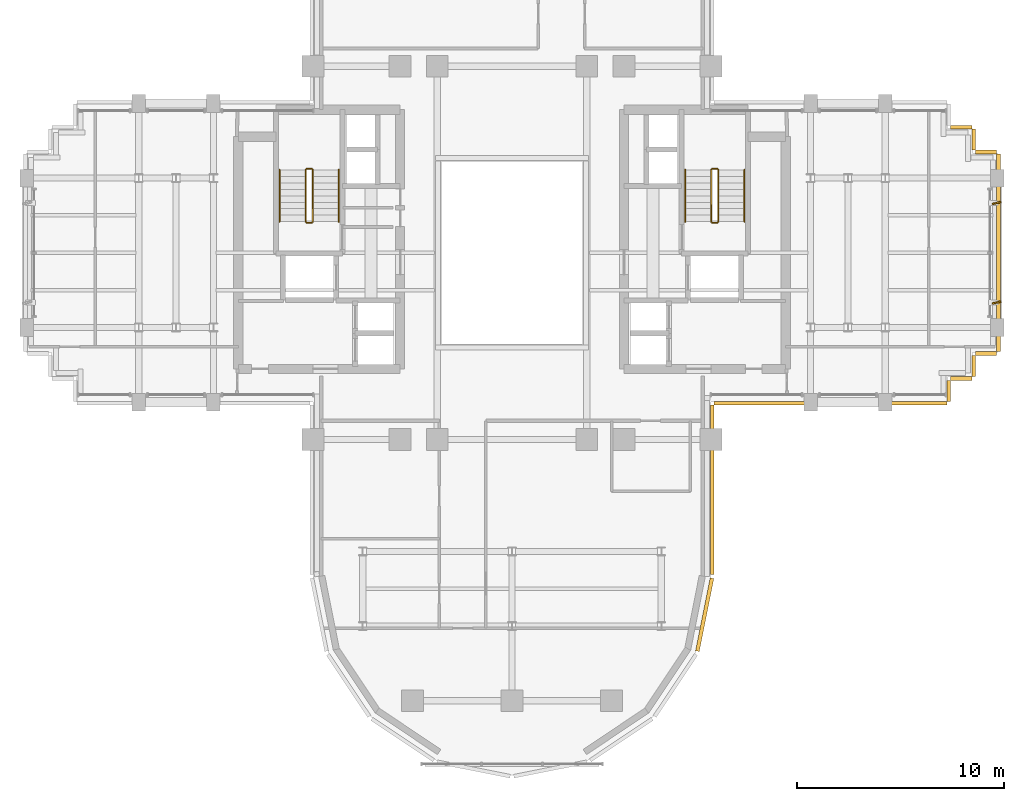
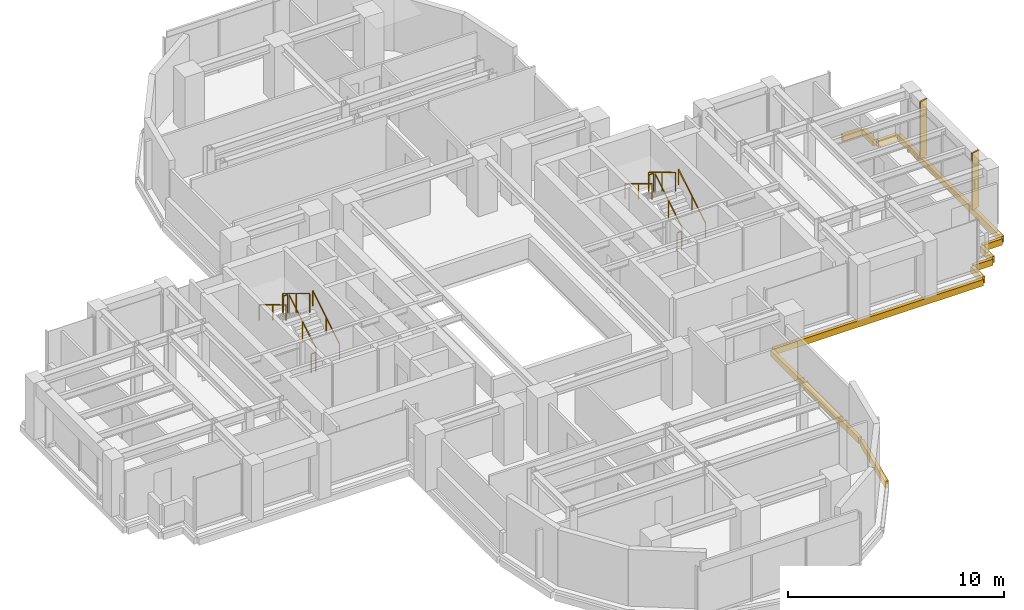
# One storey, part 13 of 14: 12 railings, 11 coverings, 2 shading devices.
"""IFC4 building model written with IfcOpenShell, lengths in metres."""

from ifc_helpers import new_model, si_unit, direction, frame, origin, origin_2d, place, context, subcontext, project, spatial, rectangle, extrude, source, transform, mapped, material, layer, layer_set, type_object, element, save


model = new_model("IFC4")

# Units and contexts
model_context = context("Model", 3, precision=1e-05, world=origin(), true_north=direction((0.0, 1.0)))
body_context = subcontext(model_context, "Body", "Model", "MODEL_VIEW")
ifc_project = project(units=[si_unit("LENGTHUNIT", "METRE"), si_unit("AREAUNIT", "SQUARE_METRE"), si_unit("VOLUMEUNIT", "CUBIC_METRE"), si_unit("PLANEANGLEUNIT", "RADIAN"), si_unit("MASSUNIT", "GRAM", prefix="KILO")], contexts=[model_context])

# Site, building, storey
site_placement = place(None, origin())
site = spatial("IfcSite", under=ifc_project, at=site_placement, CompositionType="ELEMENT")
building_placement = place(site_placement, origin())
building = spatial("IfcBuilding", under=site, at=building_placement, Name="Keilestroom Media Tower", CompositionType="ELEMENT")
storey_placement = place(building_placement, frame((0.0, 0.0, 114.199951171875)))
storey = spatial("IfcBuildingStorey", under=building, at=storey_placement, Name="L30", CompositionType="ELEMENT", Elevation=114.199951171875)

# Railings
ifc_material_1 = material(Name="Brushed Stainless Steel 1.4301", Category="steel")
railing_type_1 = type_object("IfcRailingType", Name="Stair-Pitch-Handrail-920", PredefinedType="HANDRAIL", material=ifc_material_1)
railing_1_placement = place(storey_placement, frame((-8.35009765625, 1.5, 0.18896484375)))
element("IfcRailing", 1, at=railing_1_placement, inside=storey, type_object=railing_type_1, Name="L30 ST-1 stair handrail 1", PredefinedType="HANDRAIL", context=body_context, shape_type="SweptSolid", body=[
    extrude(rectangle(XDim=0.048095703125, YDim=0.048095703125, at=origin_2d()), frame((0.0, 0.0, 0.8759765625), z_axis=(0.0, 0.855470815493, 0.517851024754), x_axis=(-1.0, 0.0, 0.0)), (0.0, 0.0, 1.0), 2.917724609375),
    extrude(rectangle(XDim=0.0419921875, YDim=0.0419921875, at=origin_2d()), origin(), (0.0, 0.0, 1.0), 0.84375),
    extrude(rectangle(XDim=0.0419921875, YDim=0.0419921875, at=origin_2d()), frame((0.0, 1.248046875, 0.75537109375)), (0.0, 0.0, 1.0), 0.84375),
    extrude(rectangle(XDim=0.0419921875, YDim=0.0419921875, at=origin_2d()), frame((0.0, 2.49609375, 1.510986328125)), (0.0, 0.0, 1.0), 0.84375),
])
railing_2_placement = place(storey_placement, frame((-11.2099609375, 3.99609375, 1.888916015625)))
element("IfcRailing", 2, at=railing_2_placement, inside=storey, type_object=railing_type_1, Name="L30 ST-1 stair handrail 2", PredefinedType="HANDRAIL", context=body_context, shape_type="SweptSolid", body=[
    extrude(rectangle(XDim=0.048095703125, YDim=0.048095703125, at=origin_2d()), frame((0.0, 0.0, 0.8759765625), z_axis=(0.0, -0.855433747314, 0.517912255074), x_axis=(1.0, 0.0, 0.0)), (0.0, 0.0, 1.0), 2.91796875),
    extrude(rectangle(XDim=0.0419921875, YDim=0.0419921875, at=origin_2d()), origin(), (0.0, 0.0, 1.0), 0.84375),
    extrude(rectangle(XDim=0.0419921875, YDim=0.0419921875, at=origin_2d()), frame((0.0, -1.248046875, 0.755615234375)), (0.0, 0.0, 1.0), 0.84375),
    extrude(rectangle(XDim=0.0419921875, YDim=0.0419921875, at=origin_2d()), frame((0.0, -2.49609375, 1.51123046875)), (0.0, 0.0, 1.0), 0.84375),
])
railing_3_placement = place(storey_placement, frame((11.2099609375, 1.5, 0.18896484375)))
element("IfcRailing", 3, at=railing_3_placement, inside=storey, type_object=railing_type_1, Name="L30 ST-2 stair handrail 1", PredefinedType="HANDRAIL", context=body_context, shape_type="SweptSolid", body=[
    extrude(rectangle(XDim=0.048095703125, YDim=0.048095703125, at=origin_2d()), frame((0.0, 0.0, 0.8759765625), z_axis=(0.0, 0.855470815493, 0.517851024754), x_axis=(-1.0, 0.0, 0.0)), (0.0, 0.0, 1.0), 2.917724609375),
    extrude(rectangle(XDim=0.0419921875, YDim=0.0419921875, at=origin_2d()), origin(), (0.0, 0.0, 1.0), 0.84375),
    extrude(rectangle(XDim=0.0419921875, YDim=0.0419921875, at=origin_2d()), frame((0.0, 1.248046875, 0.75537109375)), (0.0, 0.0, 1.0), 0.84375),
    extrude(rectangle(XDim=0.0419921875, YDim=0.0419921875, at=origin_2d()), frame((0.0, 2.49609375, 1.510986328125)), (0.0, 0.0, 1.0), 0.84375),
])
railing_4_placement = place(storey_placement, frame((8.35009765625, 3.99609375, 1.888916015625)))
element("IfcRailing", 4, at=railing_4_placement, inside=storey, type_object=railing_type_1, Name="L30 ST-2 stair handrail 2", PredefinedType="HANDRAIL", context=body_context, shape_type="SweptSolid", body=[
    extrude(rectangle(XDim=0.048095703125, YDim=0.048095703125, at=origin_2d()), frame((0.0, 0.0, 0.8759765625), z_axis=(0.0, -0.855433747314, 0.517912255074), x_axis=(1.0, 0.0, 0.0)), (0.0, 0.0, 1.0), 2.91796875),
    extrude(rectangle(XDim=0.0419921875, YDim=0.0419921875, at=origin_2d()), origin(), (0.0, 0.0, 1.0), 0.84375),
    extrude(rectangle(XDim=0.0419921875, YDim=0.0419921875, at=origin_2d()), frame((0.0, -1.248046875, 0.755615234375)), (0.0, 0.0, 1.0), 0.84375),
    extrude(rectangle(XDim=0.0419921875, YDim=0.0419921875, at=origin_2d()), frame((0.0, -2.49609375, 1.51123046875)), (0.0, 0.0, 1.0), 0.84375),
])
ifc_material_2 = material(Name="Painted Steel Balustrade", Category="steel")
railing_type_2 = type_object("IfcRailingType", Name="Stair-Well-And-Landing-Guard-1100", PredefinedType="GUARDRAIL", material=ifc_material_2)
railing_5_placement = place(storey_placement, frame((-9.610107421875, 1.5, 0.18896484375)))
element("IfcRailing", 5, at=railing_5_placement, inside=storey, type_object=railing_type_2, Name="L30 ST-1 stair guard 1", PredefinedType="GUARDRAIL", context=body_context, shape_type="SweptSolid", body=[
    extrude(rectangle(XDim=0.048095703125, YDim=0.048095703125, at=origin_2d()), frame((0.0, 0.0, 1.076171875), z_axis=(0.0, 0.855470815493, 0.517851024754), x_axis=(-1.0, 0.0, 0.0)), (0.0, 0.0, 1.0), 2.917724609375),
    extrude(rectangle(XDim=0.0419921875, YDim=0.0419921875, at=origin_2d()), origin(), (0.0, 0.0, 1.0), 1.0439453125),
    extrude(rectangle(XDim=0.0419921875, YDim=0.0419921875, at=origin_2d()), frame((0.0, 1.248046875, 0.75537109375)), (0.0, 0.0, 1.0), 1.0439453125),
    extrude(rectangle(XDim=0.0419921875, YDim=0.0419921875, at=origin_2d()), frame((0.0, 2.49609375, 1.510986328125)), (0.0, 0.0, 1.0), 1.0439453125),
])
railing_6_placement = place(storey_placement, frame((-9.659912109375, 4.0458984375, 1.699951171875)))
element("IfcRailing", 6, at=railing_6_placement, inside=storey, type_object=railing_type_2, Name="L30 ST-1 stair guard 2", PredefinedType="GUARDRAIL", context=body_context, shape_type="SweptSolid", body=[
    extrude(rectangle(XDim=0.048095703125, YDim=0.048095703125, at=origin_2d()), frame((0.0, 0.0, 1.076171875), z_axis=(-1.0, 0.0, 0.0), x_axis=(0.0, -1.0, 0.0)), (0.0, 0.0, 1.0), 0.239990234375),
    extrude(rectangle(XDim=0.0419921875, YDim=0.0419921875, at=origin_2d()), origin(), (0.0, 0.0, 1.0), 1.0439453125),
    extrude(rectangle(XDim=0.0419921875, YDim=0.0419921875, at=origin_2d()), frame((-0.239990234375, 0.0, 0.0)), (0.0, 0.0, 1.0), 1.0439453125),
])
railing_7_placement = place(storey_placement, frame((-9.949951171875, 3.99609375, 1.888916015625)))
element("IfcRailing", 7, at=railing_7_placement, inside=storey, type_object=railing_type_2, Name="L30 ST-1 stair guard 3", PredefinedType="GUARDRAIL", context=body_context, shape_type="SweptSolid", body=[
    extrude(rectangle(XDim=0.048095703125, YDim=0.048095703125, at=origin_2d()), frame((0.0, 0.0, 1.076171875), z_axis=(0.0, -0.855433747314, 0.517912255074), x_axis=(1.0, 0.0, 0.0)), (0.0, 0.0, 1.0), 2.91796875),
    extrude(rectangle(XDim=0.0419921875, YDim=0.0419921875, at=origin_2d()), origin(), (0.0, 0.0, 1.0), 1.0439453125),
    extrude(rectangle(XDim=0.0419921875, YDim=0.0419921875, at=origin_2d()), frame((0.0, -1.248046875, 0.755615234375)), (0.0, 0.0, 1.0), 1.0439453125),
    extrude(rectangle(XDim=0.0419921875, YDim=0.0419921875, at=origin_2d()), frame((0.0, -2.49609375, 1.51123046875)), (0.0, 0.0, 1.0), 1.0439453125),
])
railing_8_placement = place(storey_placement, frame((-9.659912109375, 1.449951171875, 0.0)))
element("IfcRailing", 8, at=railing_8_placement, inside=storey, type_object=railing_type_2, Name="L30 ST-1 stair guard 4", PredefinedType="GUARDRAIL", context=body_context, shape_type="SweptSolid", body=[
    extrude(rectangle(XDim=0.048095703125, YDim=0.048095703125, at=origin_2d()), frame((0.0, 0.0, 1.076171875), z_axis=(-1.0, 0.0, 0.0), x_axis=(0.0, -1.0, 0.0)), (0.0, 0.0, 1.0), 0.239990234375),
    extrude(rectangle(XDim=0.0419921875, YDim=0.0419921875, at=origin_2d()), origin(), (0.0, 0.0, 1.0), 1.0439453125),
    extrude(rectangle(XDim=0.0419921875, YDim=0.0419921875, at=origin_2d()), frame((-0.239990234375, 0.0, 0.0)), (0.0, 0.0, 1.0), 1.0439453125),
])
railing_9_placement = place(storey_placement, frame((9.949951171875, 1.5, 0.18896484375)))
element("IfcRailing", 9, at=railing_9_placement, inside=storey, type_object=railing_type_2, Name="L30 ST-2 stair guard 1", PredefinedType="GUARDRAIL", context=body_context, shape_type="SweptSolid", body=[
    extrude(rectangle(XDim=0.048095703125, YDim=0.048095703125, at=origin_2d()), frame((0.0, 0.0, 1.076171875), z_axis=(0.0, 0.855470815493, 0.517851024754), x_axis=(-1.0, 0.0, 0.0)), (0.0, 0.0, 1.0), 2.917724609375),
    extrude(rectangle(XDim=0.0419921875, YDim=0.0419921875, at=origin_2d()), origin(), (0.0, 0.0, 1.0), 1.0439453125),
    extrude(rectangle(XDim=0.0419921875, YDim=0.0419921875, at=origin_2d()), frame((0.0, 1.248046875, 0.75537109375)), (0.0, 0.0, 1.0), 1.0439453125),
    extrude(rectangle(XDim=0.0419921875, YDim=0.0419921875, at=origin_2d()), frame((0.0, 2.49609375, 1.510986328125)), (0.0, 0.0, 1.0), 1.0439453125),
])
railing_10_placement = place(storey_placement, frame((9.89990234375, 4.0458984375, 1.699951171875)))
element("IfcRailing", 10, at=railing_10_placement, inside=storey, type_object=railing_type_2, Name="L30 ST-2 stair guard 2", PredefinedType="GUARDRAIL", context=body_context, shape_type="SweptSolid", body=[
    extrude(rectangle(XDim=0.048095703125, YDim=0.048095703125, at=origin_2d()), frame((0.0, 0.0, 1.076171875), z_axis=(-1.0, 0.0, 0.0), x_axis=(0.0, -1.0, 0.0)), (0.0, 0.0, 1.0), 0.239990234375),
    extrude(rectangle(XDim=0.0419921875, YDim=0.0419921875, at=origin_2d()), origin(), (0.0, 0.0, 1.0), 1.0439453125),
    extrude(rectangle(XDim=0.0419921875, YDim=0.0419921875, at=origin_2d()), frame((-0.239990234375, 0.0, 0.0)), (0.0, 0.0, 1.0), 1.0439453125),
])
railing_11_placement = place(storey_placement, frame((9.610107421875, 3.99609375, 1.888916015625)))
element("IfcRailing", 11, at=railing_11_placement, inside=storey, type_object=railing_type_2, Name="L30 ST-2 stair guard 3", PredefinedType="GUARDRAIL", context=body_context, shape_type="SweptSolid", body=[
    extrude(rectangle(XDim=0.048095703125, YDim=0.048095703125, at=origin_2d()), frame((0.0, 0.0, 1.076171875), z_axis=(0.0, -0.855433747314, 0.517912255074), x_axis=(1.0, 0.0, 0.0)), (0.0, 0.0, 1.0), 2.91796875),
    extrude(rectangle(XDim=0.0419921875, YDim=0.0419921875, at=origin_2d()), origin(), (0.0, 0.0, 1.0), 1.0439453125),
    extrude(rectangle(XDim=0.0419921875, YDim=0.0419921875, at=origin_2d()), frame((0.0, -1.248046875, 0.755615234375)), (0.0, 0.0, 1.0), 1.0439453125),
    extrude(rectangle(XDim=0.0419921875, YDim=0.0419921875, at=origin_2d()), frame((0.0, -2.49609375, 1.51123046875)), (0.0, 0.0, 1.0), 1.0439453125),
])
railing_12_placement = place(storey_placement, frame((9.89990234375, 1.449951171875, 0.0)))
element("IfcRailing", 12, at=railing_12_placement, inside=storey, type_object=railing_type_2, Name="L30 ST-2 stair guard 4", PredefinedType="GUARDRAIL", context=body_context, shape_type="SweptSolid", body=[
    extrude(rectangle(XDim=0.048095703125, YDim=0.048095703125, at=origin_2d()), frame((0.0, 0.0, 1.076171875), z_axis=(-1.0, 0.0, 0.0), x_axis=(0.0, -1.0, 0.0)), (0.0, 0.0, 1.0), 0.239990234375),
    extrude(rectangle(XDim=0.0419921875, YDim=0.0419921875, at=origin_2d()), origin(), (0.0, 0.0, 1.0), 1.0439453125),
    extrude(rectangle(XDim=0.0419921875, YDim=0.0419921875, at=origin_2d()), frame((-0.239990234375, 0.0, 0.0)), (0.0, 0.0, 1.0), 1.0439453125),
])

# Shading devices
ifc_material_3 = material(Name="Bronze Anodised Aluminium", Category="aluminium")
shading_device_type = type_object("IfcShadingDeviceType", Name="Facade-Vertical-Sunshade-Fin-SHD-1", PredefinedType="USERDEFINED", material=ifc_material_3)
shared_shape_1 = source(origin(), body_context, "Body", "SweptSolid", [
    extrude(rectangle(XDim=0.419921875, YDim=0.080078125, at=origin_2d()), origin(), (0.0, 0.0, 1.0), 3.199951171875),
])
for number, where, z_axis, x_axis, name in (
    (13, (23.3701171875, -2.39990234375, 0.0), (0.0, 0.0, 1.0), (0.97518800696, 0.221378298577, 0.0), "L30 Twisting Sunshade Fin SHD-1 035"),
    (14, (23.3701171875, 2.39990234375, 0.0), (0.0, 0.0, 1.0), (0.97518800696, 0.221378298577, 0.0), "L30 Twisting Sunshade Fin SHD-1 036"),
):
    element("IfcShadingDevice", number, at=place(storey_placement, frame(where, z_axis=z_axis, x_axis=x_axis)), inside=storey, type_object=shading_device_type, Name=name, ObjectType="SUNSHADE", PredefinedType="USERDEFINED", context=body_context, shape_type="MappedRepresentation", body=[
        mapped(shared_shape_1, transform((0.0, 0.0, 0.0), x_axis=(1.0, 0.0, 0.0), y_axis=(0.0, 1.0, 0.0), z_axis=(0.0, 0.0, 1.0), scale=1.0)),
    ])

# Coverings
ifc_material_4 = material(Name="Precast concrete C40/50", Category="concrete")
ifc_layer = layer(ifc_material_4, 0.1201171875)
ifc_layer_set = layer_set([ifc_layer], Name="Precast concrete C40/50")
covering_type = type_object("IfcCoveringType", Name="Exterior-Precast-Spandrel-Cladding-Panel-120", PredefinedType="CLADDING", material=ifc_layer_set)
shared_shape_2 = source(origin(), body_context, "Body", "SweptSolid", [
    extrude(rectangle(XDim=1.02001953125, YDim=0.179931640625, at=origin_2d()), origin(), (0.0, 0.0, 1.0), 0.360107421875),
])
for number, where, z_axis, x_axis, name in (
    (15, (22.860107421875, -4.860107421875, -0.5400390625), (0.0, 0.0, 1.0), (-1.0, 0.0, 0.0), "L30 Precast Slab-Edge Fascia Cornice 01"),
    (16, (22.260009765625, -5.4599609375, -0.5400390625), (0.0, 0.0, 1.0), (0.0, -1.0, 0.0), "L30 Precast Slab-Edge Fascia Cornice 02"),
    (17, (21.659912109375, -6.06005859375, -0.5400390625), (0.0, 0.0, 1.0), (-1.0, 0.0, 0.0), "L30 Precast Slab-Edge Fascia Cornice 03"),
    (18, (21.06005859375, -6.659912109375, -0.5400390625), (0.0, 0.0, 1.0), (0.0, -1.0, 0.0), "L30 Precast Slab-Edge Fascia Cornice 04"),
    (19, (21.659912109375, 6.06005859375, -0.5400390625), (0.0, 0.0, 1.0), (1.0, 0.0, 0.0), "L30 Precast Slab-Edge Fascia Cornice 39"),
    (20, (22.260009765625, 5.4599609375, -0.5400390625), (0.0, 0.0, 1.0), (0.0, -1.0, 0.0), "L30 Precast Slab-Edge Fascia Cornice 40"),
    (21, (22.860107421875, 4.860107421875, -0.5400390625), (0.0, 0.0, 1.0), (1.0, 0.0, 0.0), "L30 Precast Slab-Edge Fascia Cornice 41"),
):
    element("IfcCovering", number, at=place(storey_placement, frame(where, z_axis=z_axis, x_axis=x_axis)), inside=storey, type_object=covering_type, Name=name, PredefinedType="CLADDING", context=body_context, shape_type="MappedRepresentation", body=[
        mapped(shared_shape_2, transform((0.0, 0.0, 0.0), x_axis=(1.0, 0.0, 0.0), y_axis=(0.0, 1.0, 0.0), z_axis=(0.0, 0.0, 1.0), scale=1.0)),
    ])
shared_shape_3 = source(origin(), body_context, "Body", "SweptSolid", [
    extrude(rectangle(XDim=8.166015625, YDim=0.179931640625, at=origin_2d()), origin(), (0.0, 0.0, 1.0), 0.360107421875),
])
covering_1_placement = place(storey_placement, frame((9.659912109375, -11.43310546875, -0.5400390625), z_axis=(0.0, 0.0, 1.0), x_axis=(0.0, -1.0, 0.0)))
element("IfcCovering", 22, at=covering_1_placement, inside=storey, type_object=covering_type, Name="L30 Precast Slab-Edge Fascia Cornice 06", PredefinedType="CLADDING", context=body_context, shape_type="MappedRepresentation", body=[
    mapped(shared_shape_3, transform((0.0, 0.0, 0.0), x_axis=(1.0, 0.0, 0.0), y_axis=(0.0, 1.0, 0.0), z_axis=(0.0, 0.0, 1.0), scale=1.0)),
])
shared_shape_4 = source(origin(), body_context, "Body", "SweptSolid", [
    extrude(rectangle(XDim=3.58349609375, YDim=0.179931640625, at=origin_2d()), origin(), (0.0, 0.0, 1.0), 0.360107421875),
])
covering_2_placement = place(storey_placement, frame((9.29296875, -17.45166015625, -0.5400390625), z_axis=(0.0, 0.0, 1.0), x_axis=(-0.195098880975, -0.980783577882, 0.0)))
element("IfcCovering", 23, at=covering_2_placement, inside=storey, type_object=covering_type, Name="L30 Precast Slab-Edge Fascia Cornice 07", PredefinedType="CLADDING", context=body_context, shape_type="MappedRepresentation", body=[
    mapped(shared_shape_4, transform((0.0, 0.0, 0.0), x_axis=(1.0, 0.0, 0.0), y_axis=(0.0, 1.0, 0.0), z_axis=(0.0, 0.0, 1.0), scale=1.0)),
])
shared_shape_5 = source(origin(), body_context, "Body", "SweptSolid", [
    extrude(rectangle(XDim=9.5400390625, YDim=0.179931640625, at=origin_2d()), origin(), (0.0, 0.0, 1.0), 0.360107421875),
])
covering_3_placement = place(storey_placement, frame((23.4599609375, 0.0, -0.5400390625), z_axis=(0.0, 0.0, 1.0), x_axis=(0.0, -1.0, 0.0)))
element("IfcCovering", 24, at=covering_3_placement, inside=storey, type_object=covering_type, Name="L30 Precast Slab-Edge Fascia Cornice 42", PredefinedType="CLADDING", context=body_context, shape_type="MappedRepresentation", body=[
    mapped(shared_shape_5, transform((0.0, 0.0, 0.0), x_axis=(1.0, 0.0, 0.0), y_axis=(0.0, 1.0, 0.0), z_axis=(0.0, 0.0, 1.0), scale=1.0)),
])
shared_shape_6 = source(origin(), body_context, "Body", "SweptSolid", [
    extrude(rectangle(XDim=11.219970703125, YDim=0.179931640625, at=origin_2d()), origin(), (0.0, 0.0, 1.0), 0.360107421875),
])
covering_4_placement = place(storey_placement, frame((15.360107421875, -7.260009765625, -0.5400390625), z_axis=(0.0, 0.0, 1.0), x_axis=(-1.0, 0.0, 0.0)))
element("IfcCovering", 25, at=covering_4_placement, inside=storey, type_object=covering_type, Name="L30 Precast Slab-Edge Fascia Cornice 05", PredefinedType="CLADDING", context=body_context, shape_type="MappedRepresentation", body=[
    mapped(shared_shape_6, transform((0.0, 0.0, 0.0), x_axis=(1.0, 0.0, 0.0), y_axis=(0.0, 1.0, 0.0), z_axis=(0.0, 0.0, 1.0), scale=1.0)),
])

save(model, "model.ifc")
